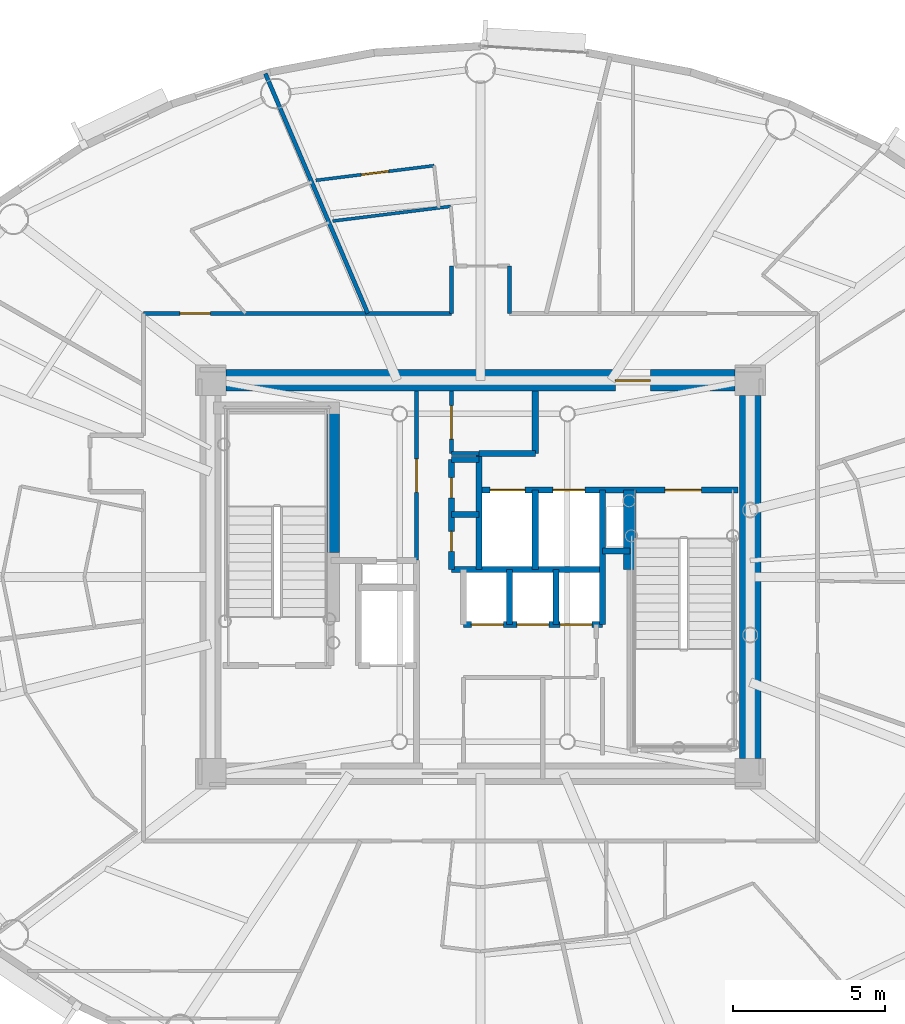
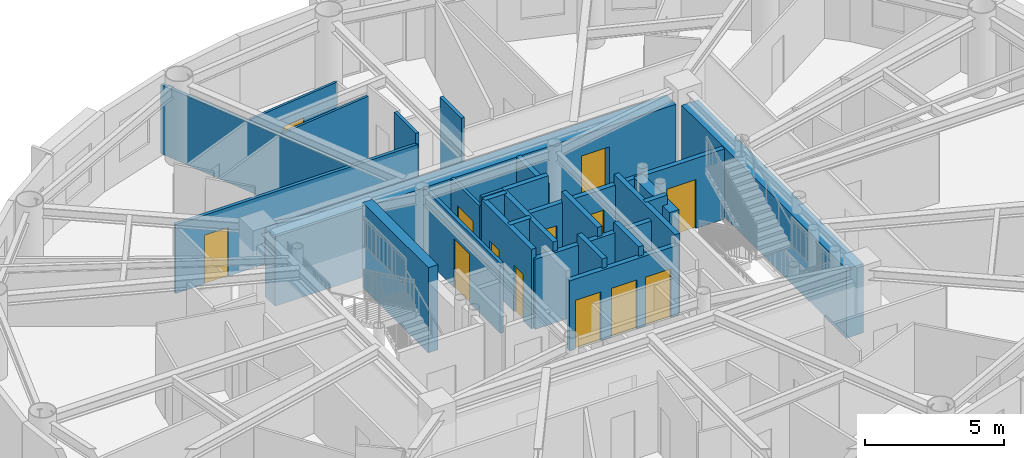
# One storey, part 8 of 18: 27 walls, 13 doors, 13 openings.
"""IFC4 building model written with IfcOpenShell, lengths in metres."""

from ifc_helpers import new_model, si_unit, direction, frame, frame_2d, origin, origin_2d, place, context, subcontext, project, spatial, rectangle, extrude, source, transform, mapped, material, layer, layer_set, type_object, element, fill, save


model = new_model("IFC4")

# Units and contexts
model_context = context("Model", 3, precision=1e-05, world=origin(), true_north=direction((0.0, 1.0)))
body_context = subcontext(model_context, "Body", "Model", "MODEL_VIEW")
ifc_project = project(units=[si_unit("LENGTHUNIT", "METRE"), si_unit("AREAUNIT", "SQUARE_METRE"), si_unit("VOLUMEUNIT", "CUBIC_METRE"), si_unit("PLANEANGLEUNIT", "RADIAN"), si_unit("MASSUNIT", "GRAM", prefix="KILO")], contexts=[model_context])

# Site, building, storey
site_placement = place(None, origin())
site = spatial("IfcSite", under=ifc_project, at=site_placement, CompositionType="ELEMENT")
building_placement = place(site_placement, origin())
building = spatial("IfcBuilding", under=site, at=building_placement, Name="Linh Dai School and Residence Tower", CompositionType="ELEMENT")
storey_placement = place(building_placement, frame((0.0, 0.0, 295.5)))
storey = spatial("IfcBuildingStorey", under=building, at=storey_placement, Name="L73", CompositionType="ELEMENT", Elevation=295.5)

# Wall, opening, door
ifc_material_1 = material(Name="Autoclaved Aerated Concrete Blockwork", Category="masonry")
ifc_layer_1 = layer(ifc_material_1, 0.135009765625)
ifc_layer_set_1 = layer_set([ifc_layer_1], Name="Autoclaved Aerated Concrete Blockwork")
wall_type_1 = type_object("IfcWallType", Name="IW-CORR-135-EI90", PredefinedType="PARTITIONING", material=ifc_layer_set_1)
wall_1_placement = place(storey_placement, frame((24.949951171875, 35.64990234375, 0.0), z_axis=(0.0, 0.0, 1.0), x_axis=(1.0, 0.0, 0.0)))
wall_1 = element("IfcWall", 1, at=wall_1_placement, inside=storey, type_object=wall_type_1, Name="L73 Interior Partition Wall 019", PredefinedType="PARTITIONING", context=body_context, shape_type="SweptSolid", body=[
    extrude(rectangle(XDim=10.10009765625, YDim=0.135009765625, at=frame_2d((5.050048828125, 0.0))), origin(), (0.0, 0.0, 1.0), 3.034912109375),
])
opening_1_placement = place(wall_1_placement, frame((1.192138671875, 0.0, 0.0)))
opening_1 = element("IfcOpeningElement", 2, at=opening_1_placement, cuts=wall_1, Name="Opening D03", PredefinedType="OPENING", context=body_context, shape_type="SweptSolid", body=[
    extrude(rectangle(XDim=1.0, YDim=2.14990234375, at=origin_2d()), frame((0.5, 0.07763671875, 1.074951171875), z_axis=(0.0, -1.0, 0.0), x_axis=(1.0, 0.0, 0.0)), (0.0, 0.0, 1.0), 0.155029296875),
])
ifc_material_2 = material(Name="Fire-Rated Solid Timber Entrance Door", Category="wood")
door_type_1 = type_object("IfcDoorType", Name="DR-FLAT-1000x2150-FD60S", OperationType="NOTDEFINED", PredefinedType="DOOR", material=ifc_material_2)
shared_shape_1 = source(origin(), body_context, "Body", "SweptSolid", [
    extrude(rectangle(XDim=1.0, YDim=2.14990234375, at=origin_2d()), frame((0.5, 0.02490234375, 1.074951171875), z_axis=(0.0, -1.0, 0.0), x_axis=(1.0, 0.0, 0.0)), (0.0, 0.0, 1.0), 0.050048828125),
])
door_1_placement = place(opening_1_placement, origin())
door_1 = element("IfcDoor", 3, at=door_1_placement, inside=storey, type_object=door_type_1, Name="L73 U7302 Apartment Entrance Door", OperationType="SINGLE_SWING_RIGHT", OverallHeight=2.14990234375, OverallWidth=1.0, PredefinedType="DOOR", context=body_context, shape_type="MappedRepresentation", body=[
    mapped(shared_shape_1, transform((0.0, 0.0, 0.0), x_axis=(1.0, 0.0, 0.0), y_axis=(0.0, 1.0, 0.0), z_axis=(0.0, 0.0, 1.0), scale=1.0)),
])
fill(opening_1, door_1)

# Wall
wall_2_placement = place(storey_placement, frame((28.9462890625, 43.512939453125, 0.0), z_axis=(0.0, 0.0, 1.0), x_axis=(0.392833513872, -0.919609607594, 0.0)))
element("IfcWall", 4, at=wall_2_placement, inside=storey, type_object=wall_type_1, Name="L73 Interior Partition Wall 026", PredefinedType="PARTITIONING", context=body_context, shape_type="SweptSolid", body=[
    extrude(rectangle(XDim=8.55029296875, YDim=0.135009765625, at=frame_2d((4.275146484375, 0.0))), origin(), (0.0, 0.0, 1.0), 3.034912109375),
])

# Wall, opening, door
wall_3_placement = place(storey_placement, frame((33.89990234375, 27.56005859375, 0.0), z_axis=(0.0, 0.0, 1.0), x_axis=(0.0, 1.0, 0.0)))
wall_3 = element("IfcWall", 5, at=wall_3_placement, inside=storey, type_object=wall_type_1, Name="L73 Interior Partition Wall 035", PredefinedType="PARTITIONING", context=body_context, shape_type="SweptSolid", body=[
    extrude(rectangle(XDim=5.5400390625, YDim=0.135009765625, at=frame_2d((2.77001953125, 0.0))), origin(), (0.0, 0.0, 1.0), 3.0849609375),
])
opening_2_placement = place(wall_3_placement, frame((2.219970703125, 0.0, 0.0)))
opening_2 = element("IfcOpeningElement", 6, at=opening_2_placement, cuts=wall_3, Name="Opening D07", PredefinedType="OPENING", context=body_context, shape_type="SweptSolid", body=[
    extrude(rectangle(XDim=1.10009765625, YDim=2.14990234375, at=origin_2d()), frame((0.550048828125, 0.07763671875, 1.074951171875), z_axis=(0.0, -1.0, 0.0), x_axis=(1.0, 0.0, 0.0)), (0.0, 0.0, 1.0), 0.155029296875),
])
ifc_material_3 = material(Name="Fire-Rated Louvred Steel Plant Door", Category="steel")
door_type_2 = type_object("IfcDoorType", Name="DR-PLT-1100x2150-FD60S", OperationType="NOTDEFINED", PredefinedType="DOOR", material=ifc_material_3)
shared_shape_2 = source(origin(), body_context, "Body", "SweptSolid", [
    extrude(rectangle(XDim=1.10009765625, YDim=2.14990234375, at=origin_2d()), frame((0.550048828125, 0.02490234375, 1.074951171875), z_axis=(0.0, -1.0, 0.0), x_axis=(1.0, 0.0, 0.0)), (0.0, 0.0, 1.0), 0.050048828125),
])
door_2_placement = place(opening_2_placement, origin())
door_2 = element("IfcDoor", 7, at=door_2_placement, inside=storey, type_object=door_type_2, Name="L73 High-Zone Housekeeping Suite Door", OperationType="SINGLE_SWING_LEFT", OverallHeight=2.14990234375, OverallWidth=1.10009765625, PredefinedType="DOOR", context=body_context, shape_type="MappedRepresentation", body=[
    mapped(shared_shape_2, transform((0.0, 0.0, 0.0), x_axis=(1.0, 0.0, 0.0), y_axis=(0.0, 1.0, 0.0), z_axis=(0.0, 0.0, 1.0), scale=1.0)),
])
fill(opening_2, door_2)

wall_4_placement = place(storey_placement, frame((35.050048828125, 31.050048828125, 0.0), z_axis=(0.0, 0.0, 1.0), x_axis=(0.0, 1.0, 0.0)))
wall_4 = element("IfcWall", 8, at=wall_4_placement, inside=storey, type_object=wall_type_1, Name="L73 Interior Partition Wall 045", PredefinedType="PARTITIONING", context=body_context, shape_type="SweptSolid", body=[
    extrude(rectangle(XDim=2.050048828125, YDim=0.135009765625, at=frame_2d((1.02490234375, 0.0))), origin(), (0.0, 0.0, 1.0), 3.0849609375),
])
opening_3_placement = place(wall_4_placement, frame((0.47509765625, 0.0, 0.0)))
opening_3 = element("IfcOpeningElement", 9, at=opening_3_placement, cuts=wall_4, Name="Opening D07", PredefinedType="OPENING", context=body_context, shape_type="SweptSolid", body=[
    extrude(rectangle(XDim=1.10009765625, YDim=2.14990234375, at=origin_2d()), frame((0.550048828125, 0.07763671875, 1.074951171875), z_axis=(0.0, -1.0, 0.0), x_axis=(1.0, 0.0, 0.0)), (0.0, 0.0, 1.0), 0.155029296875),
])
door_3_placement = place(opening_3_placement, origin())
door_3 = element("IfcDoor", 10, at=door_3_placement, inside=storey, type_object=door_type_2, Name="L73 North BMS Switchroom Door", OperationType="SINGLE_SWING_RIGHT", OverallHeight=2.14990234375, OverallWidth=1.10009765625, PredefinedType="DOOR", context=body_context, shape_type="MappedRepresentation", body=[
    mapped(shared_shape_2, transform((0.0, 0.0, 0.0), x_axis=(1.0, 0.0, 0.0), y_axis=(0.0, 1.0, 0.0), z_axis=(0.0, 0.0, 1.0), scale=1.0)),
])
fill(opening_3, door_3)

# Walls
wall_5_placement = place(storey_placement, frame((35.050048828125, 31.050048828125, 0.0), z_axis=(0.0, 0.0, 1.0), x_axis=(1.0, 0.0, 0.0)))
element("IfcWall", 11, at=wall_5_placement, inside=storey, type_object=wall_type_1, Name="L73 Interior Partition Wall 046", PredefinedType="PARTITIONING", context=body_context, shape_type="SweptSolid", body=[
    extrude(rectangle(XDim=0.89990234375, YDim=0.135009765625, at=frame_2d((0.449951171875, 0.0))), origin(), (0.0, 0.0, 1.0), 3.5),
])
for number, where, z_axis, x_axis, name in (
    (12, (35.050048828125, 35.64990234375, 0.0), (0.0, 0.0, 1.0), (0.0, 1.0, 0.0), "L73 Interior Partition Wall 047"),
    (13, (36.949951171875, 35.64990234375, 0.0), (0.0, 0.0, 1.0), (0.0, 1.0, 0.0), "L73 Interior Partition Wall 058"),
):
    element("IfcWall", number, at=place(storey_placement, frame(where, z_axis=z_axis, x_axis=x_axis)), inside=storey, type_object=wall_type_1, Name=name, PredefinedType="PARTITIONING", context=body_context, shape_type="SweptSolid", body=[
        extrude(rectangle(XDim=1.550048828125, YDim=0.135009765625, at=frame_2d((0.77490234375, 0.0))), origin(), (0.0, 0.0, 1.0), 3.5),
    ])

# Wall, openings, doors
ifc_material_4 = material(Name="Concrete B45 (C35/45)", Category="concrete")
ifc_layer_2 = layer(ifc_material_4, 0.199951171875)
ifc_layer_set_2 = layer_set([ifc_layer_2], Name="Concrete B45 (C35/45)")
wall_type_2 = type_object("IfcWallType", Name="IW-SHAFT-200-EI120", PredefinedType="PARTITIONING", material=ifc_layer_set_2)
wall_6_placement = place(storey_placement, frame((35.050048828125, 27.25, 0.0), z_axis=(0.0, 0.0, 1.0), x_axis=(0.0, 1.0, 0.0)))
wall_6 = element("IfcWall", 14, at=wall_6_placement, inside=storey, type_object=wall_type_2, Name="L73 Interior Partition Wall 041", PredefinedType="PARTITIONING", context=body_context, shape_type="SweptSolid", body=[
    extrude(rectangle(XDim=3.60009765625, YDim=0.199951171875, at=frame_2d((1.800048828125, 0.0))), origin(), (0.0, 0.0, 1.0), 3.5),
])
opening_4_placement = place(wall_6_placement, frame((0.590087890625, 0.0, 0.0)))
opening_4 = element("IfcOpeningElement", 15, at=opening_4_placement, cuts=wall_6, Name="Opening AD1", PredefinedType="OPENING", context=body_context, shape_type="SweptSolid", body=[
    extrude(rectangle(XDim=0.659912109375, YDim=2.050048828125, at=origin_2d()), frame((0.330078125, 0.10986328125, 1.02490234375), z_axis=(0.0, -1.0, 0.0), x_axis=(1.0, 0.0, 0.0)), (0.0, 0.0, 1.0), 0.219970703125),
])
opening_5_placement = place(wall_6_placement, frame((2.35009765625, 0.0, 0.0)))
opening_5 = element("IfcOpeningElement", 16, at=opening_5_placement, cuts=wall_6, Name="Opening AD1", PredefinedType="OPENING", context=body_context, shape_type="SweptSolid", body=[
    extrude(rectangle(XDim=0.659912109375, YDim=2.050048828125, at=origin_2d()), frame((0.330078125, 0.10986328125, 1.02490234375), z_axis=(0.0, -1.0, 0.0), x_axis=(1.0, 0.0, 0.0)), (0.0, 0.0, 1.0), 0.219970703125),
])
ifc_material_5 = material(Name="Fire-Rated Steel Riser Access Door", Category="steel")
door_type_3 = type_object("IfcDoorType", Name="DR-ACC-660x2050-FD90S", OperationType="NOTDEFINED", PredefinedType="USERDEFINED", material=ifc_material_5)
shared_shape_3 = source(origin(), body_context, "Body", "SweptSolid", [
    extrude(rectangle(XDim=0.659912109375, YDim=2.050048828125, at=origin_2d()), frame((0.330078125, 0.02490234375, 1.02490234375), z_axis=(0.0, -1.0, 0.0), x_axis=(1.0, 0.0, 0.0)), (0.0, 0.0, 1.0), 0.050048828125),
])
door_4_placement = place(opening_4_placement, origin())
door_4 = element("IfcDoor", 17, at=door_4_placement, inside=storey, type_object=door_type_3, Name="L73 Telecom and Data Riser Access Door", ObjectType="ACCESS DOOR", OperationType="SINGLE_SWING_LEFT", OverallHeight=2.050048828125, OverallWidth=0.659912109375, PredefinedType="USERDEFINED", context=body_context, shape_type="MappedRepresentation", body=[
    mapped(shared_shape_3, transform((0.0, 0.0, 0.0), x_axis=(1.0, 0.0, 0.0), y_axis=(0.0, 1.0, 0.0), z_axis=(0.0, 0.0, 1.0), scale=1.0)),
])
fill(opening_4, door_4)
door_5_placement = place(opening_5_placement, origin())
door_5 = element("IfcDoor", 18, at=door_5_placement, inside=storey, type_object=door_type_3, Name="L73 Mechanical and Plumbing Riser Access Door", ObjectType="ACCESS DOOR", OperationType="SINGLE_SWING_RIGHT", OverallHeight=2.050048828125, OverallWidth=0.659912109375, PredefinedType="USERDEFINED", context=body_context, shape_type="MappedRepresentation", body=[
    mapped(shared_shape_3, transform((0.0, 0.0, 0.0), x_axis=(1.0, 0.0, 0.0), y_axis=(0.0, 1.0, 0.0), z_axis=(0.0, 0.0, 1.0), scale=1.0)),
])
fill(opening_5, door_5)

# Walls
wall_7_placement = place(storey_placement, frame((35.050048828125, 27.25, 0.0), z_axis=(0.0, 0.0, 1.0), x_axis=(1.0, 0.0, 0.0)))
element("IfcWall", 19, at=wall_7_placement, inside=storey, type_object=wall_type_2, Name="L73 Interior Partition Wall 042", PredefinedType="PARTITIONING", context=body_context, shape_type="SweptSolid", body=[
    extrude(rectangle(XDim=4.949951171875, YDim=0.199951171875, at=frame_2d((2.47509765625, 0.0))), origin(), (0.0, 0.0, 1.0), 3.0849609375),
])
for number, where, z_axis, x_axis, name in (
    (20, (35.050048828125, 29.050048828125, 0.0), (0.0, 0.0, 1.0), (1.0, 0.0, 0.0), "L73 Interior Partition Wall 043"),
    (21, (35.050048828125, 30.85009765625, 0.0), (0.0, 0.0, 1.0), (1.0, 0.0, 0.0), "L73 Interior Partition Wall 044"),
):
    element("IfcWall", number, at=place(storey_placement, frame(where, z_axis=z_axis, x_axis=x_axis)), inside=storey, type_object=wall_type_2, Name=name, PredefinedType="PARTITIONING", context=body_context, shape_type="SweptSolid", body=[
        extrude(rectangle(XDim=0.89990234375, YDim=0.199951171875, at=frame_2d((0.449951171875, 0.0))), origin(), (0.0, 0.0, 1.0), 3.5),
    ])

# Wall, openings, doors
wall_8_placement = place(storey_placement, frame((35.449951171875, 25.449951171875, 0.0), z_axis=(0.0, 0.0, 1.0), x_axis=(1.0, 0.0, 0.0)))
wall_8 = element("IfcWall", 22, at=wall_8_placement, inside=storey, type_object=wall_type_2, Name="L73 Interior Partition Wall 052", PredefinedType="PARTITIONING", context=body_context, shape_type="SweptSolid", body=[
    extrude(rectangle(XDim=4.550048828125, YDim=0.199951171875, at=frame_2d((2.27490234375, 0.0))), origin(), (0.0, 0.0, 1.0), 3.0849609375),
])
opening_6_placement = place(wall_8_placement, frame((0.25, 0.0, 0.0)))
opening_6 = element("IfcOpeningElement", 23, at=opening_6_placement, cuts=wall_8, Name="Opening LD-PL7", PredefinedType="OPENING", context=body_context, shape_type="SweptSolid", body=[
    extrude(rectangle(XDim=1.050048828125, YDim=2.14990234375, at=origin_2d()), frame((0.52490234375, 0.10986328125, 1.074951171875), z_axis=(0.0, -1.0, 0.0), x_axis=(1.0, 0.0, 0.0)), (0.0, 0.0, 1.0), 0.219970703125),
])
opening_7_placement = place(wall_8_placement, frame((1.7451171875, 0.0, 0.0)))
opening_7 = element("IfcOpeningElement", 24, at=opening_7_placement, cuts=wall_8, Name="Opening LD-PL8", PredefinedType="OPENING", context=body_context, shape_type="SweptSolid", body=[
    extrude(rectangle(XDim=1.050048828125, YDim=2.14990234375, at=origin_2d()), frame((0.52490234375, 0.10986328125, 1.074951171875), z_axis=(0.0, -1.0, 0.0), x_axis=(1.0, 0.0, 0.0)), (0.0, 0.0, 1.0), 0.219970703125),
])
opening_8_placement = place(wall_8_placement, frame((3.1650390625, 0.0, 0.0)))
opening_8 = element("IfcOpeningElement", 25, at=opening_8_placement, cuts=wall_8, Name="Opening LD-PL9", PredefinedType="OPENING", context=body_context, shape_type="SweptSolid", body=[
    extrude(rectangle(XDim=1.050048828125, YDim=2.14990234375, at=origin_2d()), frame((0.52490234375, 0.10986328125, 1.074951171875), z_axis=(0.0, -1.0, 0.0), x_axis=(1.0, 0.0, 0.0)), (0.0, 0.0, 1.0), 0.219970703125),
])
ifc_material_6 = material(Name="Brushed Stainless Steel Lift Landing Door", Category="steel")
door_type_4 = type_object("IfcDoorType", Name="DR-LD-PASS-1050x2150", OperationType="DOUBLE_DOOR_SLIDING", PredefinedType="USERDEFINED", material=ifc_material_6)
shared_shape_4 = source(origin(), body_context, "Body", "SweptSolid", [
    extrude(rectangle(XDim=1.050048828125, YDim=2.14990234375, at=origin_2d()), frame((0.52490234375, 0.02490234375, 1.074951171875), z_axis=(0.0, -1.0, 0.0), x_axis=(1.0, 0.0, 0.0)), (0.0, 0.0, 1.0), 0.050048828125),
])
door_6_placement = place(opening_6_placement, origin())
door_6 = element("IfcDoor", 26, at=door_6_placement, inside=storey, type_object=door_type_4, Name="L73 Lift PL7 Sliding Landing Door", ObjectType="LANDING DOOR", OperationType="DOUBLE_DOOR_SLIDING", OverallHeight=2.14990234375, OverallWidth=1.050048828125, PredefinedType="USERDEFINED", context=body_context, shape_type="MappedRepresentation", body=[
    mapped(shared_shape_4, transform((0.0, 0.0, 0.0), x_axis=(1.0, 0.0, 0.0), y_axis=(0.0, 1.0, 0.0), z_axis=(0.0, 0.0, 1.0), scale=1.0)),
])
fill(opening_6, door_6)
door_7_placement = place(opening_7_placement, origin())
door_7 = element("IfcDoor", 27, at=door_7_placement, inside=storey, type_object=door_type_4, Name="L73 Lift PL8 Sliding Landing Door", ObjectType="LANDING DOOR", OperationType="DOUBLE_DOOR_SLIDING", OverallHeight=2.14990234375, OverallWidth=1.050048828125, PredefinedType="USERDEFINED", context=body_context, shape_type="MappedRepresentation", body=[
    mapped(shared_shape_4, transform((0.0, 0.0, 0.0), x_axis=(1.0, 0.0, 0.0), y_axis=(0.0, 1.0, 0.0), z_axis=(0.0, 0.0, 1.0), scale=1.0)),
])
fill(opening_7, door_7)
door_8_placement = place(opening_8_placement, origin())
door_8 = element("IfcDoor", 28, at=door_8_placement, inside=storey, type_object=door_type_4, Name="L73 Lift PL9 Sliding Landing Door", ObjectType="LANDING DOOR", OperationType="DOUBLE_DOOR_SLIDING", OverallHeight=2.14990234375, OverallWidth=1.050048828125, PredefinedType="USERDEFINED", context=body_context, shape_type="MappedRepresentation", body=[
    mapped(shared_shape_4, transform((0.0, 0.0, 0.0), x_axis=(1.0, 0.0, 0.0), y_axis=(0.0, 1.0, 0.0), z_axis=(0.0, 0.0, 1.0), scale=1.0)),
])
fill(opening_8, door_8)

# Wall
wall_9_placement = place(storey_placement, frame((35.949951171875, 27.25, 0.0), z_axis=(0.0, 0.0, 1.0), x_axis=(0.0, 1.0, 0.0)))
element("IfcWall", 29, at=wall_9_placement, inside=storey, type_object=wall_type_2, Name="L73 Interior Partition Wall 053", PredefinedType="PARTITIONING", context=body_context, shape_type="SweptSolid", body=[
    extrude(rectangle(XDim=3.800048828125, YDim=0.199951171875, at=frame_2d((1.89990234375, 0.0))), origin(), (0.0, 0.0, 1.0), 3.5),
])

# Wall, openings, doors
wall_10_placement = place(storey_placement, frame((35.949951171875, 29.85009765625, 0.0), z_axis=(0.0, 0.0, 1.0), x_axis=(1.0, 0.0, 0.0)))
wall_10 = element("IfcWall", 30, at=wall_10_placement, inside=storey, type_object=wall_type_2, Name="L73 Interior Partition Wall 054", PredefinedType="PARTITIONING", context=body_context, shape_type="SweptSolid", body=[
    extrude(rectangle(XDim=8.489990234375, YDim=0.199951171875, at=frame_2d((4.2451171875, 0.0))), origin(), (0.0, 0.0, 1.0), 3.0849609375),
])
opening_9_placement = place(wall_10_placement, frame((6.10009765625, 0.0, 0.0)))
opening_9 = element("IfcOpeningElement", 31, at=opening_9_placement, cuts=wall_10, Name="Opening D01", PredefinedType="OPENING", context=body_context, shape_type="SweptSolid", body=[
    extrude(rectangle(XDim=1.199951171875, YDim=2.14990234375, at=origin_2d()), frame((0.60009765625, 0.10986328125, 1.074951171875), z_axis=(0.0, -1.0, 0.0), x_axis=(1.0, 0.0, 0.0)), (0.0, 0.0, 1.0), 0.219970703125),
])
opening_10_placement = place(wall_10_placement, frame((0.3701171875, 0.0, 0.0)))
opening_10 = element("IfcOpeningElement", 32, at=opening_10_placement, cuts=wall_10, Name="Opening LD-FF1", PredefinedType="OPENING", context=body_context, shape_type="SweptSolid", body=[
    extrude(rectangle(XDim=1.14990234375, YDim=2.14990234375, at=origin_2d()), frame((0.574951171875, 0.10986328125, 1.074951171875), z_axis=(0.0, -1.0, 0.0), x_axis=(1.0, 0.0, 0.0)), (0.0, 0.0, 1.0), 0.219970703125),
])
opening_11_placement = place(wall_10_placement, frame((2.425048828125, 0.0, 0.0)))
opening_11 = element("IfcOpeningElement", 33, at=opening_11_placement, cuts=wall_10, Name="Opening LD-SV1", PredefinedType="OPENING", context=body_context, shape_type="SweptSolid", body=[
    extrude(rectangle(XDim=1.050048828125, YDim=2.14990234375, at=origin_2d()), frame((0.52490234375, 0.10986328125, 1.074951171875), z_axis=(0.0, -1.0, 0.0), x_axis=(1.0, 0.0, 0.0)), (0.0, 0.0, 1.0), 0.219970703125),
])
ifc_material_7 = material(Name="Fire-Rated Steel Door Leaf", Category="steel")
door_type_5 = type_object("IfcDoorType", Name="DR-STAIR-1200x2150-FD90S", OperationType="NOTDEFINED", PredefinedType="DOOR", material=ifc_material_7)
shared_shape_5 = source(origin(), body_context, "Body", "SweptSolid", [
    extrude(rectangle(XDim=1.199951171875, YDim=2.14990234375, at=origin_2d()), frame((0.60009765625, 0.02490234375, 1.074951171875), z_axis=(0.0, -1.0, 0.0), x_axis=(1.0, 0.0, 0.0)), (0.0, 0.0, 1.0), 0.050048828125),
])
door_9_placement = place(opening_9_placement, origin())
door_9 = element("IfcDoor", 34, at=door_9_placement, inside=storey, type_object=door_type_5, Name="L73 Core Smokeproof Exit Stair ST2 Door", OperationType="SINGLE_SWING_RIGHT", OverallHeight=2.14990234375, OverallWidth=1.199951171875, PredefinedType="DOOR", context=body_context, shape_type="MappedRepresentation", body=[
    mapped(shared_shape_5, transform((0.0, 0.0, 0.0), x_axis=(1.0, 0.0, 0.0), y_axis=(0.0, 1.0, 0.0), z_axis=(0.0, 0.0, 1.0), scale=1.0)),
])
fill(opening_9, door_9)
ifc_material_8 = material(Name="Fire-Rated Stainless Steel Firefighting Lift Door", Category="steel")
door_type_6 = type_object("IfcDoorType", Name="DR-LD-FF-1150x2150-FD120", OperationType="DOUBLE_DOOR_SLIDING", PredefinedType="USERDEFINED", material=ifc_material_8)
shared_shape_6 = source(origin(), body_context, "Body", "SweptSolid", [
    extrude(rectangle(XDim=1.14990234375, YDim=2.14990234375, at=origin_2d()), frame((0.574951171875, 0.02490234375, 1.074951171875), z_axis=(0.0, -1.0, 0.0), x_axis=(1.0, 0.0, 0.0)), (0.0, 0.0, 1.0), 0.050048828125),
])
door_10_placement = place(opening_10_placement, origin())
door_10 = element("IfcDoor", 35, at=door_10_placement, inside=storey, type_object=door_type_6, Name="L73 Lift FF1 Sliding Landing Door", ObjectType="LANDING DOOR", OperationType="DOUBLE_DOOR_SLIDING", OverallHeight=2.14990234375, OverallWidth=1.14990234375, PredefinedType="USERDEFINED", context=body_context, shape_type="MappedRepresentation", body=[
    mapped(shared_shape_6, transform((0.0, 0.0, 0.0), x_axis=(1.0, 0.0, 0.0), y_axis=(0.0, 1.0, 0.0), z_axis=(0.0, 0.0, 1.0), scale=1.0)),
])
fill(opening_10, door_10)
door_11_placement = place(opening_11_placement, origin())
door_11 = element("IfcDoor", 36, at=door_11_placement, inside=storey, type_object=door_type_4, Name="L73 Lift SV1 Sliding Landing Door", ObjectType="LANDING DOOR", OperationType="DOUBLE_DOOR_SLIDING", OverallHeight=2.14990234375, OverallWidth=1.050048828125, PredefinedType="USERDEFINED", context=body_context, shape_type="MappedRepresentation", body=[
    mapped(shared_shape_4, transform((0.0, 0.0, 0.0), x_axis=(1.0, 0.0, 0.0), y_axis=(0.0, 1.0, 0.0), z_axis=(0.0, 0.0, 1.0), scale=1.0)),
])
fill(opening_11, door_11)

# Walls
wall_11_placement = place(storey_placement, frame((35.9599609375, 31.050048828125, 0.0), z_axis=(0.0, 0.0, 1.0), x_axis=(1.0, 0.0, 0.0)))
element("IfcWall", 37, at=wall_11_placement, inside=storey, type_object=wall_type_2, Name="L73 Interior Partition Wall 055", PredefinedType="PARTITIONING", context=body_context, shape_type="SweptSolid", body=[
    extrude(rectangle(XDim=1.840087890625, YDim=0.199951171875, at=frame_2d((0.919921875, 0.0))), origin(), (0.0, 0.0, 1.0), 3.5),
])
wall_12_placement = place(storey_placement, frame((36.9599609375, 25.449951171875, 0.0), z_axis=(0.0, 0.0, 1.0), x_axis=(0.0, 1.0, 0.0)))
element("IfcWall", 38, at=wall_12_placement, inside=storey, type_object=wall_type_2, Name="L73 Interior Partition Wall 060", PredefinedType="PARTITIONING", context=body_context, shape_type="SweptSolid", body=[
    extrude(rectangle(XDim=1.800048828125, YDim=0.199951171875, at=frame_2d((0.89990234375, 0.0))), origin(), (0.0, 0.0, 1.0), 3.5),
])
wall_13_placement = place(storey_placement, frame((37.800048828125, 27.25, 0.0), z_axis=(0.0, 0.0, 1.0), x_axis=(0.0, 1.0, 0.0)))
element("IfcWall", 39, at=wall_13_placement, inside=storey, type_object=wall_type_2, Name="L73 Interior Partition Wall 061", PredefinedType="PARTITIONING", context=body_context, shape_type="SweptSolid", body=[
    extrude(rectangle(XDim=2.60009765625, YDim=0.199951171875, at=frame_2d((1.300048828125, 0.0))), origin(), (0.0, 0.0, 1.0), 3.5),
])
wall_14_placement = place(storey_placement, frame((37.800048828125, 31.050048828125, 0.0), z_axis=(0.0, 0.0, 1.0), x_axis=(0.0, 1.0, 0.0)))
element("IfcWall", 40, at=wall_14_placement, inside=storey, type_object=wall_type_2, Name="L73 Interior Partition Wall 062", PredefinedType="PARTITIONING", context=body_context, shape_type="SweptSolid", body=[
    extrude(rectangle(XDim=2.050048828125, YDim=0.199951171875, at=frame_2d((1.02490234375, 0.0))), origin(), (0.0, 0.0, 1.0), 3.0849609375),
])
wall_15_placement = place(storey_placement, frame((38.47998046875, 25.449951171875, 0.0), z_axis=(0.0, 0.0, 1.0), x_axis=(0.0, 1.0, 0.0)))
element("IfcWall", 41, at=wall_15_placement, inside=storey, type_object=wall_type_2, Name="L73 Interior Partition Wall 066", PredefinedType="PARTITIONING", context=body_context, shape_type="SweptSolid", body=[
    extrude(rectangle(XDim=1.800048828125, YDim=0.199951171875, at=frame_2d((0.89990234375, 0.0))), origin(), (0.0, 0.0, 1.0), 3.5),
])
wall_16_placement = place(storey_placement, frame((40.0, 25.449951171875, 0.0), z_axis=(0.0, 0.0, 1.0), x_axis=(0.0, 1.0, 0.0)))
element("IfcWall", 42, at=wall_16_placement, inside=storey, type_object=wall_type_2, Name="L73 Interior Partition Wall 070", PredefinedType="PARTITIONING", context=body_context, shape_type="SweptSolid", body=[
    extrude(rectangle(XDim=4.400146484375, YDim=0.199951171875, at=frame_2d((2.2001953125, 0.0))), origin(), (0.0, 0.0, 1.0), 3.5),
])
wall_17_placement = place(storey_placement, frame((40.0, 27.85009765625, 0.0), z_axis=(0.0, 0.0, 1.0), x_axis=(1.0, 0.0, 0.0)))
element("IfcWall", 43, at=wall_17_placement, inside=storey, type_object=wall_type_2, Name="L73 Interior Partition Wall 071", PredefinedType="PARTITIONING", context=body_context, shape_type="SweptSolid", body=[
    extrude(rectangle(XDim=0.89990234375, YDim=0.199951171875, at=frame_2d((0.449951171875, 0.0))), origin(), (0.0, 0.0, 1.0), 3.5),
])

# Wall, opening, door
ifc_material_9 = material(Name="Gypsum Plasterboard Acoustic Stud Partition", Category="masonry")
ifc_layer_3 = layer(ifc_material_9, 0.10009765625)
ifc_layer_set_3 = layer_set([ifc_layer_3], Name="Gypsum Plasterboard Acoustic Stud Partition")
wall_type_3 = type_object("IfcWallType", Name="IW-UNIT-100", PredefinedType="PARTITIONING", material=ifc_layer_set_3)
wall_18_placement = place(storey_placement, frame((30.600830078125, 40.011474609375, 0.0), z_axis=(0.0, 0.0, 1.0), x_axis=(0.992391758007, 0.123120260886, 0.0)))
wall_18 = element("IfcWall", 44, at=wall_18_placement, inside=storey, type_object=wall_type_3, Name="L73 Interior Partition Wall 027", PredefinedType="PARTITIONING", context=body_context, shape_type="SweptSolid", body=[
    extrude(rectangle(XDim=3.910400390625, YDim=0.10009765625, at=frame_2d((1.955078125, 0.0))), origin(), (0.0, 0.0, 1.0), 3.034912109375),
])
opening_12_placement = place(wall_18_placement, frame((1.505126953125, 0.0, 0.0)))
opening_12 = element("IfcOpeningElement", 45, at=opening_12_placement, cuts=wall_18, Name="Opening D05", PredefinedType="OPENING", context=body_context, shape_type="SweptSolid", body=[
    extrude(rectangle(XDim=0.89990234375, YDim=2.10009765625, at=origin_2d()), frame((0.449951171875, 0.06005859375, 1.050048828125), z_axis=(0.0, -1.0, 0.0), x_axis=(1.0, 0.0, 0.0)), (0.0, 0.0, 1.0), 0.1201171875),
])
ifc_material_10 = material(Name="Engineered Timber Internal Door", Category="wood")
door_type_7 = type_object("IfcDoorType", Name="DR-INT-900x2100", OperationType="NOTDEFINED", PredefinedType="DOOR", material=ifc_material_10)
shared_shape_7 = source(origin(), body_context, "Body", "SweptSolid", [
    extrude(rectangle(XDim=0.89990234375, YDim=2.10009765625, at=origin_2d()), frame((0.449951171875, 0.02490234375, 1.050048828125), z_axis=(0.0, -1.0, 0.0), x_axis=(1.0, 0.0, 0.0)), (0.0, 0.0, 1.0), 0.050048828125),
])
door_12_placement = place(opening_12_placement, origin())
door_12 = element("IfcDoor", 46, at=door_12_placement, inside=storey, type_object=door_type_7, Name="L73 Apartment U7301 Kitchen Door", OperationType="SINGLE_SWING_LEFT", OverallHeight=2.10009765625, OverallWidth=0.89990234375, PredefinedType="DOOR", context=body_context, shape_type="MappedRepresentation", body=[
    mapped(shared_shape_7, transform((0.0, 0.0, 0.0), x_axis=(1.0, 0.0, 0.0), y_axis=(0.0, 1.0, 0.0), z_axis=(0.0, 0.0, 1.0), scale=1.0)),
])
fill(opening_12, door_12)

# Walls
wall_19_placement = place(storey_placement, frame((31.154541015625, 38.677001953125, 0.0), z_axis=(0.0, 0.0, 1.0), x_axis=(0.992398620659, 0.123064932921, 0.0)))
element("IfcWall", 47, at=wall_19_placement, inside=storey, type_object=wall_type_3, Name="L73 Interior Partition Wall 030", PredefinedType="PARTITIONING", context=body_context, shape_type="SweptSolid", body=[
    extrude(rectangle(XDim=3.904296875, YDim=0.10009765625, at=frame_2d((1.9521484375, 0.0))), origin(), (0.0, 0.0, 1.0), 3.034912109375),
])
ifc_layer_4 = layer(ifc_material_4, 0.39990234375)
ifc_layer_set_4 = layer_set([ifc_layer_4], Name="Concrete B45 (C35/45)")
wall_type_4 = type_object("IfcWallType", Name="WL-CORE400", PredefinedType="SHEAR", material=ifc_layer_set_4)
wall_20_placement = place(storey_placement, frame((31.179931640625, 27.800048828125, 0.0), z_axis=(0.0, 0.0, 1.0), x_axis=(0.0, 1.0, 0.0)))
element("IfcWall", 48, at=wall_20_placement, inside=storey, type_object=wall_type_4, Name="L73 Core Stair ST1 Bearing Wall E", PredefinedType="SHEAR", context=body_context, shape_type="SweptSolid", body=[
    extrude(rectangle(XDim=4.75, YDim=0.39990234375, at=frame_2d((2.375, 0.0))), origin(), (0.0, 0.0, 1.0), 3.75),
])
wall_21_placement = place(storey_placement, frame((40.89990234375, 27.25, 0.0), z_axis=(0.0, 0.0, 1.0), x_axis=(0.0, 1.0, 0.0)))
element("IfcWall", 49, at=wall_21_placement, inside=storey, type_object=wall_type_4, Name="L73 Internal Core Shear Wall IE", PredefinedType="SHEAR", context=body_context, shape_type="SweptSolid", body=[
    extrude(rectangle(XDim=2.60009765625, YDim=0.39990234375, at=frame_2d((1.300048828125, 0.0))), origin(), (0.0, 0.0, 1.0), 3.10009765625),
])

# Wall, opening, door
ifc_layer_5 = layer(ifc_material_4, 0.699951171875)
ifc_layer_set_5 = layer_set([ifc_layer_5], Name="Concrete B45 (C35/45)")
wall_type_5 = type_object("IfcWallType", Name="WL-CORE700", PredefinedType="SHEAR", material=ifc_layer_set_5)
wall_22_placement = place(storey_placement, frame((27.64990234375, 33.449951171875, 0.0), z_axis=(0.0, 0.0, 1.0), x_axis=(1.0, 0.0, 0.0)))
wall_22 = element("IfcWall", 50, at=wall_22_placement, inside=storey, type_object=wall_type_5, Name="L73 Central Core Shear Wall N", PredefinedType="SHEAR", context=body_context, shape_type="SweptSolid", body=[
    extrude(rectangle(XDim=16.7001953125, YDim=0.699951171875, at=frame_2d((8.35009765625, 0.0))), origin(), (0.0, 0.0, 1.0), 3.050048828125),
])
opening_13_placement = place(wall_22_placement, frame((12.77490234375, 0.0, 0.0)))
opening_13 = element("IfcOpeningElement", 51, at=opening_13_placement, cuts=wall_22, Name="Opening D02", PredefinedType="OPENING", context=body_context, shape_type="SweptSolid", body=[
    extrude(rectangle(XDim=1.14990234375, YDim=2.14990234375, at=origin_2d()), frame((0.574951171875, 0.35986328125, 1.074951171875), z_axis=(0.0, -1.0, 0.0), x_axis=(1.0, 0.0, 0.0)), (0.0, 0.0, 1.0), 0.719970703125),
])
ifc_material_11 = material(Name="Fire-Rated Glazed Steel Lobby Door", Category="steel")
door_type_8 = type_object("IfcDoorType", Name="DR-LOBBY-1150x2150-FD90S", OperationType="NOTDEFINED", PredefinedType="DOOR", material=ifc_material_11)
shared_shape_8 = source(origin(), body_context, "Body", "SweptSolid", [
    extrude(rectangle(XDim=1.14990234375, YDim=2.14990234375, at=origin_2d()), frame((0.574951171875, 0.02490234375, 1.074951171875), z_axis=(0.0, -1.0, 0.0), x_axis=(1.0, 0.0, 0.0)), (0.0, 0.0, 1.0), 0.050048828125),
])
door_13_placement = place(opening_13_placement, origin())
door_13 = element("IfcDoor", 52, at=door_13_placement, inside=storey, type_object=door_type_8, Name="L73 Firefighting Lobby Door", OperationType="SINGLE_SWING_LEFT", OverallHeight=2.14990234375, OverallWidth=1.14990234375, PredefinedType="DOOR", context=body_context, shape_type="MappedRepresentation", body=[
    mapped(shared_shape_8, transform((0.0, 0.0, 0.0), x_axis=(1.0, 0.0, 0.0), y_axis=(0.0, 1.0, 0.0), z_axis=(0.0, 0.0, 1.0), scale=1.0)),
])
fill(opening_13, door_13)

# Wall
wall_23_placement = place(storey_placement, frame((44.85009765625, 32.949951171875, 0.0), z_axis=(0.0, 0.0, 1.0), x_axis=(0.0, -1.0, 0.0)))
element("IfcWall", 53, at=wall_23_placement, inside=storey, type_object=wall_type_5, Name="L73 Central Core Shear Wall E", PredefinedType="SHEAR", context=body_context, shape_type="SweptSolid", body=[
    extrude(rectangle(XDim=11.89990234375, YDim=0.699951171875, at=frame_2d((5.949951171875, 0.0))), origin(), (0.0, 0.0, 1.0), 3.050048828125),
])

save(model, "model.ifc")
